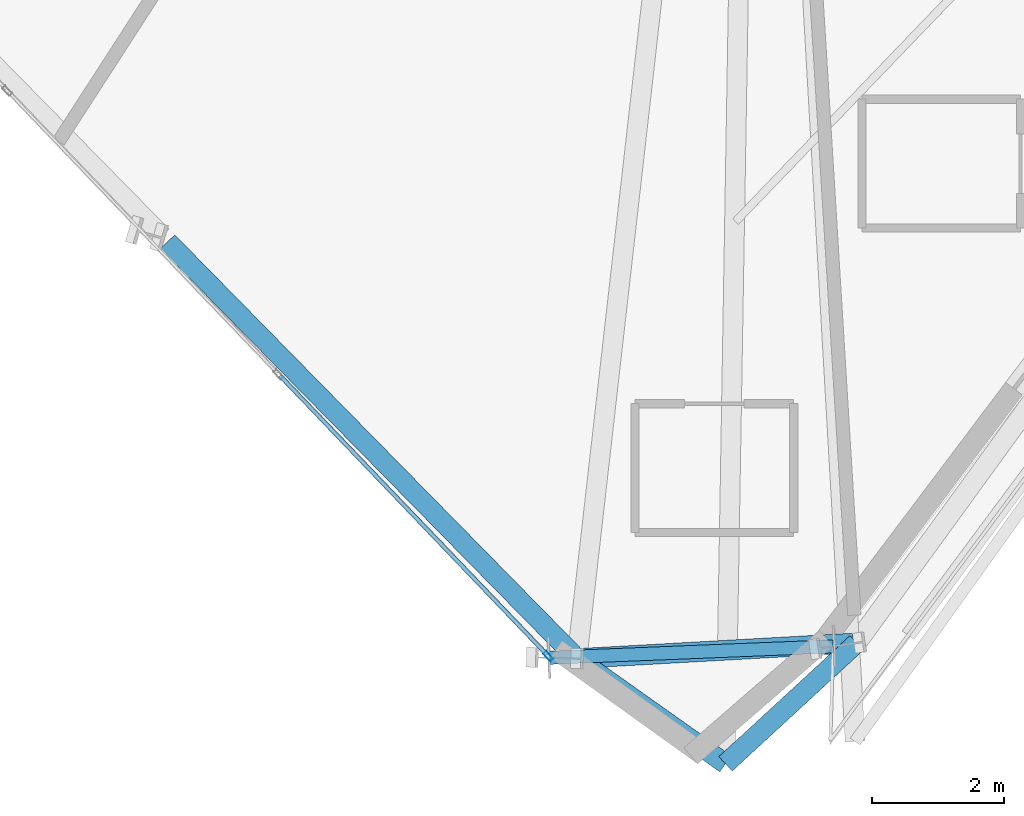
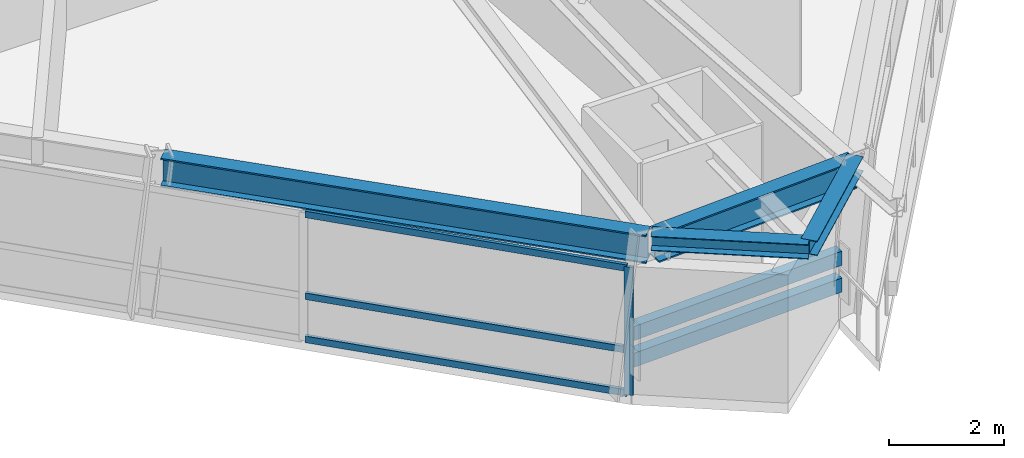
# One storey, part 3 of 14: 6 members, 4 beams, 1 element without a shape of its own.
"""IFC4 building model written with IfcOpenShell, lengths in metres."""

from ifc_helpers import new_model, si_unit, direction, frame, origin, origin_2d, place, context, subcontext, project, spatial, hollow_rectangle, i_section, extrude, source, transform, mapped, material, material_profile, profile_set, type_object, element, aggregate, save


model = new_model("IFC4")

# Units and contexts
model_context = context("Model", 3, precision=1e-05, world=origin(), true_north=direction((0.0, 1.0)))
body_context = subcontext(model_context, "Body", "Model", "MODEL_VIEW")
ifc_project = project(units=[si_unit("LENGTHUNIT", "METRE"), si_unit("AREAUNIT", "SQUARE_METRE"), si_unit("VOLUMEUNIT", "CUBIC_METRE"), si_unit("PLANEANGLEUNIT", "RADIAN"), si_unit("MASSUNIT", "GRAM", prefix="KILO")], contexts=[model_context])

# Site, building, storey
site_placement = place(None, origin())
site = spatial("IfcSite", under=ifc_project, at=site_placement, CompositionType="ELEMENT")
building_placement = place(site_placement, origin())
building = spatial("IfcBuilding", under=site, at=building_placement, Name="Olszyna Solenne Hotel", CompositionType="ELEMENT")
storey_placement = place(building_placement, frame((0.0, 0.0, 182.10009765625)))
storey = spatial("IfcBuildingStorey", under=building, at=storey_placement, Name="L48", CompositionType="ELEMENT", Elevation=182.10009765625)

# Beams
ifc_material_1 = material(Name="Steel S355J2", Category="steel")
ifc_material_profile_1 = material_profile(ifc_material_1, i_section(OverallWidth=0.300048828125, OverallDepth=0.60009765625, WebThickness=0.015380859375, FlangeThickness=0.030029296875, at=origin_2d()), Name="HEB 600", Category="load-bearing")
ifc_profile_set_1 = profile_set([ifc_material_profile_1], Name="Steel S355J2")
beam_type_1 = type_object("IfcBeamType", Name="BM-S2", PredefinedType="BEAM", material=ifc_profile_set_1)
shared_shape_1 = source(origin(), body_context, "Body", "SweptSolid", [
    extrude(i_section(OverallWidth=0.300048828125, OverallDepth=0.60009765625, WebThickness=0.015380859375, FlangeThickness=0.030029296875, at=origin_2d()), origin(), (0.0, 0.0, 1.0), 8.779541015625),
])
beam_1_placement = place(storey_placement, frame((29.052978515625, 8.7001953125, 3.02978515625), z_axis=(0.700696135283, -0.713459827881, 0.0), x_axis=(0.713459827881, 0.700696135283, 0.0)))
element("IfcBeam", 1, at=beam_1_placement, inside=storey, type_object=beam_type_1, Name="Perimeter spandrel beam BM-S2 B-L48-1429", PredefinedType="BEAM", context=body_context, shape_type="MappedRepresentation", body=[
    mapped(shared_shape_1, transform((0.0, 0.0, 0.0), x_axis=(1.0, 0.0, 0.0), y_axis=(0.0, 1.0, 0.0), z_axis=(0.0, 0.0, 1.0), scale=1.0)),
])
shared_shape_2 = source(origin(), body_context, "Body", "SweptSolid", [
    extrude(i_section(OverallWidth=0.300048828125, OverallDepth=0.60009765625, WebThickness=0.015380859375, FlangeThickness=0.030029296875, at=origin_2d()), origin(), (0.0, 0.0, 1.0), 4.119873046875),
])
beam_2_placement = place(storey_placement, frame((35.306884765625, 2.396728515625, 3.02978515625), z_axis=(0.998440781839, 0.05582118918, 0.0), x_axis=(-0.05582118918, 0.998440781839, 0.0)))
element("IfcBeam", 2, at=beam_2_placement, inside=storey, type_object=beam_type_1, Name="Perimeter spandrel beam BM-S2 B-L48-1430", PredefinedType="BEAM", context=body_context, shape_type="MappedRepresentation", body=[
    mapped(shared_shape_2, transform((0.0, 0.0, 0.0), x_axis=(1.0, 0.0, 0.0), y_axis=(0.0, 1.0, 0.0), z_axis=(0.0, 0.0, 1.0), scale=1.0)),
])
ifc_material_profile_2 = material_profile(ifc_material_1, i_section(OverallWidth=0.300048828125, OverallDepth=0.31005859375, WebThickness=0.009033203125, FlangeThickness=0.015380859375, at=origin_2d()), Name="HEA 320", Category="load-bearing")
ifc_profile_set_2 = profile_set([ifc_material_profile_2], Name="Steel S355J2")
beam_type_2 = type_object("IfcBeamType", Name="BM-G3", PredefinedType="BEAM", material=ifc_profile_set_2)
shared_shape_3 = source(origin(), body_context, "Body", "SweptSolid", [
    extrude(i_section(OverallWidth=0.300048828125, OverallDepth=0.31005859375, WebThickness=0.009033203125, FlangeThickness=0.015380859375, at=origin_2d()), origin(), (0.0, 0.0, 1.0), 2.75537109375),
])
beam_3_placement = place(storey_placement, frame((35.246826171875, 2.393310546875, 3.1748046875), z_axis=(0.815871212551, -0.578233659112, 0.0), x_axis=(0.578233659112, 0.815871212551, 0.0)))
element("IfcBeam", 3, at=beam_3_placement, inside=storey, type_object=beam_type_2, Name="Prism side edge beam BM-G3 B-L48-1443", PredefinedType="BEAM", context=body_context, shape_type="MappedRepresentation", body=[
    mapped(shared_shape_3, transform((0.0, 0.0, 0.0), x_axis=(1.0, 0.0, 0.0), y_axis=(0.0, 1.0, 0.0), z_axis=(0.0, 0.0, 1.0), scale=1.0)),
])
shared_shape_4 = source(origin(), body_context, "Body", "SweptSolid", [
    extrude(i_section(OverallWidth=0.300048828125, OverallDepth=0.31005859375, WebThickness=0.009033203125, FlangeThickness=0.015380859375, at=origin_2d()), origin(), (0.0, 0.0, 1.0), 2.7001953125),
])
beam_4_placement = place(storey_placement, frame((39.480224609375, 2.630126953125, 3.1748046875), z_axis=(-0.735274708923, -0.677769210291, 0.0), x_axis=(0.677769210291, -0.735274708923, 0.0)))
element("IfcBeam", 4, at=beam_4_placement, inside=storey, type_object=beam_type_2, Name="Prism side edge beam BM-G3 B-L48-1444", PredefinedType="BEAM", context=body_context, shape_type="MappedRepresentation", body=[
    mapped(shared_shape_4, transform((0.0, 0.0, 0.0), x_axis=(1.0, 0.0, 0.0), y_axis=(0.0, 1.0, 0.0), z_axis=(0.0, 0.0, 1.0), scale=1.0)),
])

# Members
ifc_material_profile_3 = material_profile(ifc_material_1, hollow_rectangle(XDim=0.199951171875, YDim=0.300048828125, WallThickness=0.01611328125, at=origin_2d()), Name="RHS 300x200x16", Category="load-bearing")
ifc_profile_set_3 = profile_set([ifc_material_profile_3], Name="Steel S355J2")
member_type_1 = type_object("IfcMemberType", Name="CH-PR1", PredefinedType="CHORD", material=ifc_profile_set_3)
shared_shape_5 = source(origin(), body_context, "Body", "SweptSolid", [
    extrude(hollow_rectangle(XDim=0.199951171875, YDim=0.300048828125, WallThickness=0.01611328125, at=origin_2d()), origin(), (0.0, 0.0, 1.0), 4.291015625),
])
for number, where, z_axis, x_axis, name in (
    (5, (34.83740234375, 2.4052734375, 1.349853515625), (0.999195222583, 0.040111185054, 0.0), (-0.040111185054, 0.999195222583, 0.0), "Glass-prism tie chord CH-PR1 M-L48-PR1"),
    (6, (34.83740234375, 2.4052734375, 0.77978515625), (0.999195222583, 0.040111185054, 0.0), (-0.040111185054, 0.999195222583, 0.0), "Glass-prism tie chord CH-PR1 M-L48-PR2"),
):
    element("IfcMember", number, at=place(storey_placement, frame(where, z_axis=z_axis, x_axis=x_axis)), inside=storey, type_object=member_type_1, Name=name, PredefinedType="CHORD", context=body_context, shape_type="MappedRepresentation", body=[
        mapped(shared_shape_5, transform((0.0, 0.0, 0.0), x_axis=(1.0, 0.0, 0.0), y_axis=(0.0, 1.0, 0.0), z_axis=(0.0, 0.0, 1.0), scale=1.0)),
    ])

# Curtain wall, members
ifc_material_2 = material(Name="Anodised bronze aluminium", Category="aluminium")
curtain_wall_type = type_object("IfcCurtainWallType", Name="CW-SYS-4", PredefinedType="NOTDEFINED", material=ifc_material_2)
curtain_wall_placement = place(storey_placement, origin())
curtain_wall = element("IfcCurtainWall", 7, at=curtain_wall_placement, inside=storey, type_object=curtain_wall_type, Name="Unitised curtain wall CW-SYS-4 CW-L48-01", PredefinedType="NOTDEFINED")
ifc_material_profile_4 = material_profile(ifc_material_2, hollow_rectangle(XDim=0.06494140625, YDim=0.159912109375, WallThickness=0.00390625, at=origin_2d()), Name="MULL 160x65x4", Category="load-bearing")
ifc_profile_set_4 = profile_set([ifc_material_profile_4], Name="Anodised bronze aluminium")
member_type_2 = type_object("IfcMemberType", Name="CW-M3", PredefinedType="MULLION", material=ifc_profile_set_4)
shared_shape_6 = source(origin(), body_context, "Body", "SweptSolid", [
    extrude(hollow_rectangle(XDim=0.06494140625, YDim=0.159912109375, WallThickness=0.00390625, at=origin_2d()), origin(), (0.0, 0.0, 1.0), 2.721923828125),
])
member_1_placement = place(storey_placement, frame((34.81494140625, 2.4287109375, 0.0), z_axis=(0.0, 0.0, 1.0), x_axis=(0.72251812704, 0.691351976998, 0.0)))
member_1 = element("IfcMember", 8, at=member_1_placement, type_object=member_type_2, Name="Curtain-wall mullion CW-M3 CM-L48-01-04", PredefinedType="MULLION", context=body_context, shape_type="MappedRepresentation", body=[
    mapped(shared_shape_6, transform((0.0, 0.0, 0.0), x_axis=(1.0, 0.0, 0.0), y_axis=(0.0, 1.0, 0.0), z_axis=(0.0, 0.0, 1.0), scale=1.0)),
])
ifc_material_profile_5 = material_profile(ifc_material_2, hollow_rectangle(XDim=0.06494140625, YDim=0.139892578125, WallThickness=0.00390625, at=origin_2d()), Name="TRAN 140x65x4", Category="load-bearing")
ifc_profile_set_5 = profile_set([ifc_material_profile_5], Name="Anodised bronze aluminium")
member_type_3 = type_object("IfcMemberType", Name="CW-T2", PredefinedType="USERDEFINED", material=ifc_profile_set_5)
shared_shape_7 = source(origin(), body_context, "Body", "SweptSolid", [
    extrude(hollow_rectangle(XDim=0.06494140625, YDim=0.139892578125, WallThickness=0.00390625, at=origin_2d()), origin(), (0.0, 0.0, 1.0), 5.841552734375),
])
member_2_placement = place(storey_placement, frame((30.75390625, 6.6728515625, 0.032470703125), z_axis=(0.691345994424, -0.722523851505, 0.0), x_axis=(0.722523851505, 0.691345994424, 0.0)))
member_2 = element("IfcMember", 9, at=member_2_placement, type_object=member_type_3, Name="Curtain-wall transom CW-T2 CT-L48-01-07", ObjectType="TRANSOM", PredefinedType="USERDEFINED", context=body_context, shape_type="MappedRepresentation", body=[
    mapped(shared_shape_7, transform((0.0, 0.0, 0.0), x_axis=(1.0, 0.0, 0.0), y_axis=(0.0, 1.0, 0.0), z_axis=(0.0, 0.0, 1.0), scale=1.0)),
])
member_3_placement = place(storey_placement, frame((30.75390625, 6.6728515625, 0.949951171875), z_axis=(0.691345994424, -0.722523851505, 0.0), x_axis=(0.722523851505, 0.691345994424, 0.0)))
member_3 = element("IfcMember", 10, at=member_3_placement, type_object=member_type_3, Name="Curtain-wall transom CW-T2 CT-L48-01-08", ObjectType="TRANSOM", PredefinedType="USERDEFINED", context=body_context, shape_type="MappedRepresentation", body=[
    mapped(shared_shape_7, transform((0.0, 0.0, 0.0), x_axis=(1.0, 0.0, 0.0), y_axis=(0.0, 1.0, 0.0), z_axis=(0.0, 0.0, 1.0), scale=1.0)),
])
member_4_placement = place(storey_placement, frame((30.75390625, 6.6728515625, 2.689453125), z_axis=(0.691345994424, -0.722523851505, 0.0), x_axis=(0.722523851505, 0.691345994424, 0.0)))
member_4 = element("IfcMember", 11, at=member_4_placement, type_object=member_type_3, Name="Curtain-wall transom CW-T2 CT-L48-01-09", ObjectType="TRANSOM", PredefinedType="USERDEFINED", context=body_context, shape_type="MappedRepresentation", body=[
    mapped(shared_shape_7, transform((0.0, 0.0, 0.0), x_axis=(1.0, 0.0, 0.0), y_axis=(0.0, 1.0, 0.0), z_axis=(0.0, 0.0, 1.0), scale=1.0)),
])
aggregate(curtain_wall, [member_1, member_2, member_3, member_4])

save(model, "model.ifc")
